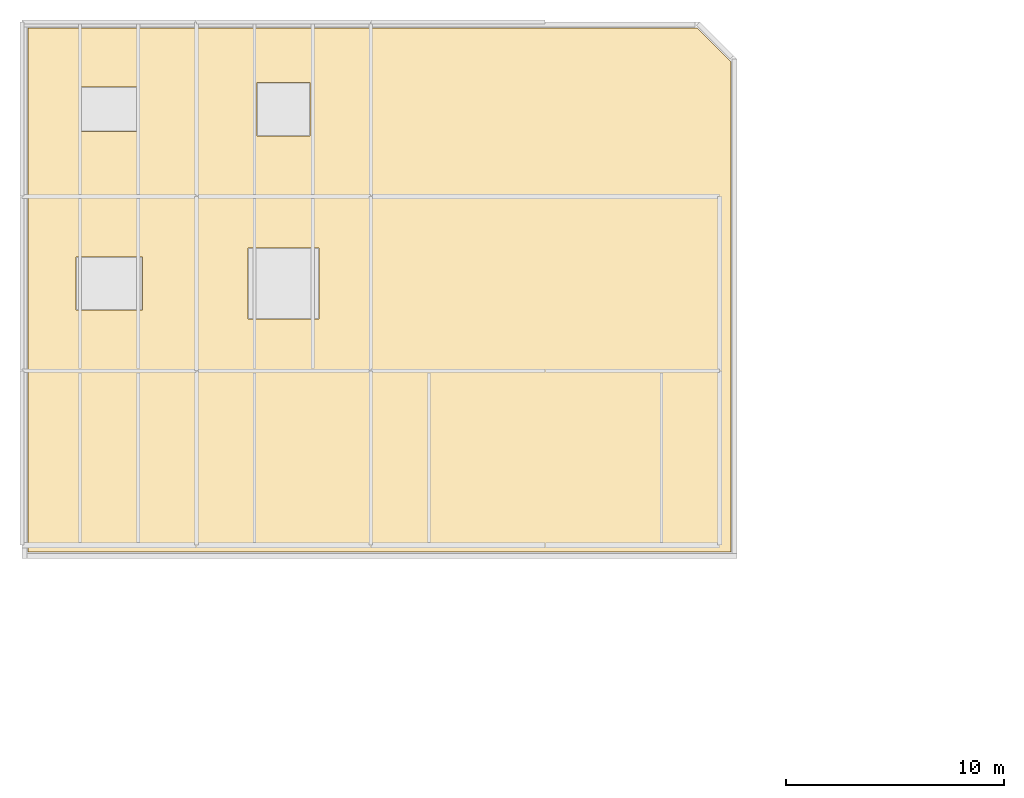
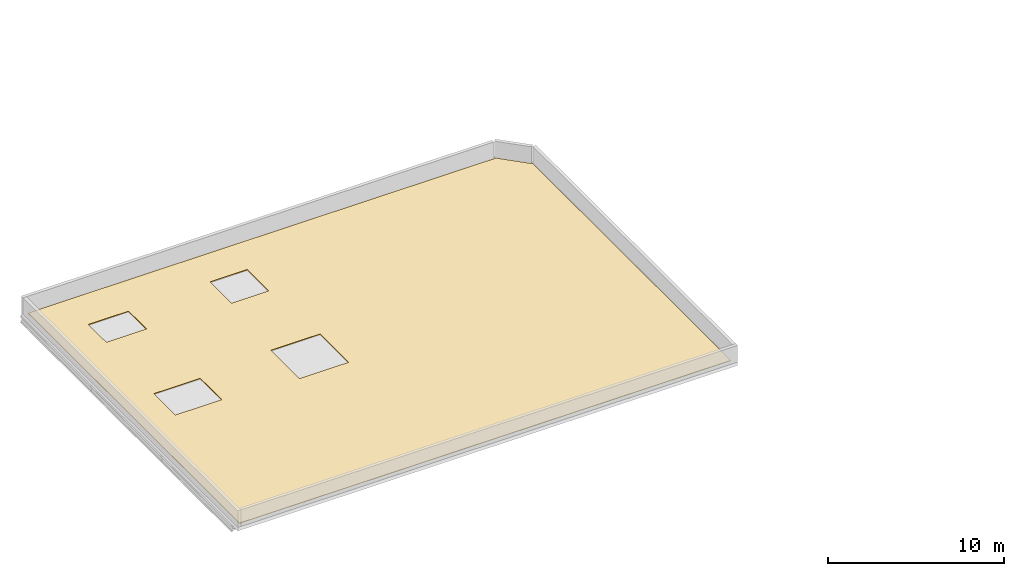
# One storey, part 12 of 14: 1 covering.
"""IFC4 building model written with IfcOpenShell, lengths in metres."""

from ifc_helpers import new_model, si_unit, direction, frame, origin, place, context, subcontext, project, spatial, polyline, outline, extrude, material, layer, layer_set, type_object, element, save


model = new_model("IFC4")

# Units and contexts
model_context = context("Model", 3, precision=1e-05, world=origin(), true_north=direction((0.0, 1.0)))
body_context = subcontext(model_context, "Body", "Model", "MODEL_VIEW")
ifc_project = project(units=[si_unit("LENGTHUNIT", "METRE"), si_unit("AREAUNIT", "SQUARE_METRE"), si_unit("VOLUMEUNIT", "CUBIC_METRE"), si_unit("PLANEANGLEUNIT", "RADIAN"), si_unit("MASSUNIT", "GRAM", prefix="KILO")], contexts=[model_context])

# Site, building, storey
site_placement = place(None, origin())
site = spatial("IfcSite", under=ifc_project, at=site_placement, CompositionType="ELEMENT")
building_placement = place(site_placement, origin())
building = spatial("IfcBuilding", under=site, at=building_placement, Name="Cymarion Research Institute", CompositionType="ELEMENT")
storey_placement = place(building_placement, frame((0.0, 0.0, 34.5)))
storey = spatial("IfcBuildingStorey", under=building, at=storey_placement, Name="L08", CompositionType="ELEMENT", Elevation=34.5)

# Covering
ifc_material = material(Name="Pre-weathered titanium-zinc standing seam roofing", Category="metal")
ifc_layer = layer(ifc_material, 0.0400390625)
ifc_layer_set = layer_set([ifc_layer], Name="Pre-weathered titanium-zinc standing seam roofing")
covering_type = type_object("IfcCoveringType", Name="STANDING SEAM ZINC ROOF MEMBRANE COV-RF01", PredefinedType="ROOFING", material=ifc_layer_set)
covering_placement = place(storey_placement, origin())
element("IfcCovering", 1, at=covering_placement, inside=storey, type_object=covering_type, Name="L08 ROOF-L08-V4 standing-seam zinc roofing membrane", PredefinedType="ROOFING", context=body_context, shape_type="SweptSolid", body=[
    extrude(outline(polyline([(14.8798828125, 71.219970703125), (45.583984375, 71.219970703125), (47.1201171875, 69.68408203125), (47.1201171875, 47.179931640625), (14.8798828125, 47.179931640625), (14.8798828125, 71.219970703125)]), holes=[polyline([(17.080078125, 60.719970703125), (17.080078125, 58.280029296875), (20.1201171875, 58.280029296875), (20.1201171875, 60.719970703125), (17.080078125, 60.719970703125)]), polyline([(24.97998046875, 61.1201171875), (24.97998046875, 57.8798828125), (28.219970703125, 57.8798828125), (28.219970703125, 61.1201171875), (24.97998046875, 61.1201171875)]), polyline([(17.280029296875, 68.52001953125), (17.280029296875, 66.47998046875), (19.919921875, 66.47998046875), (19.919921875, 68.52001953125), (17.280029296875, 68.52001953125)]), polyline([(25.3798828125, 68.719970703125), (25.3798828125, 66.280029296875), (27.820068359375, 66.280029296875), (27.820068359375, 68.719970703125), (25.3798828125, 68.719970703125)])]), origin(), (0.0, 0.0, 1.0), 0.0400390625),
])

save(model, "model.ifc")
